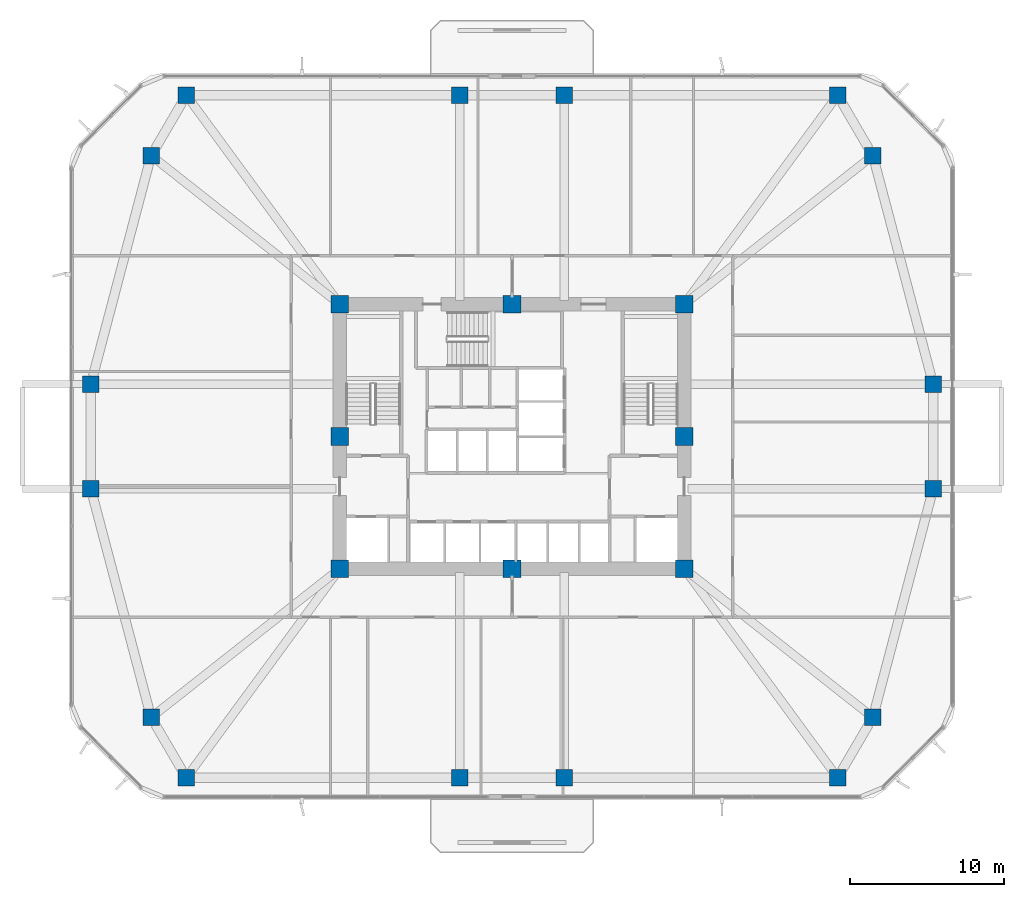
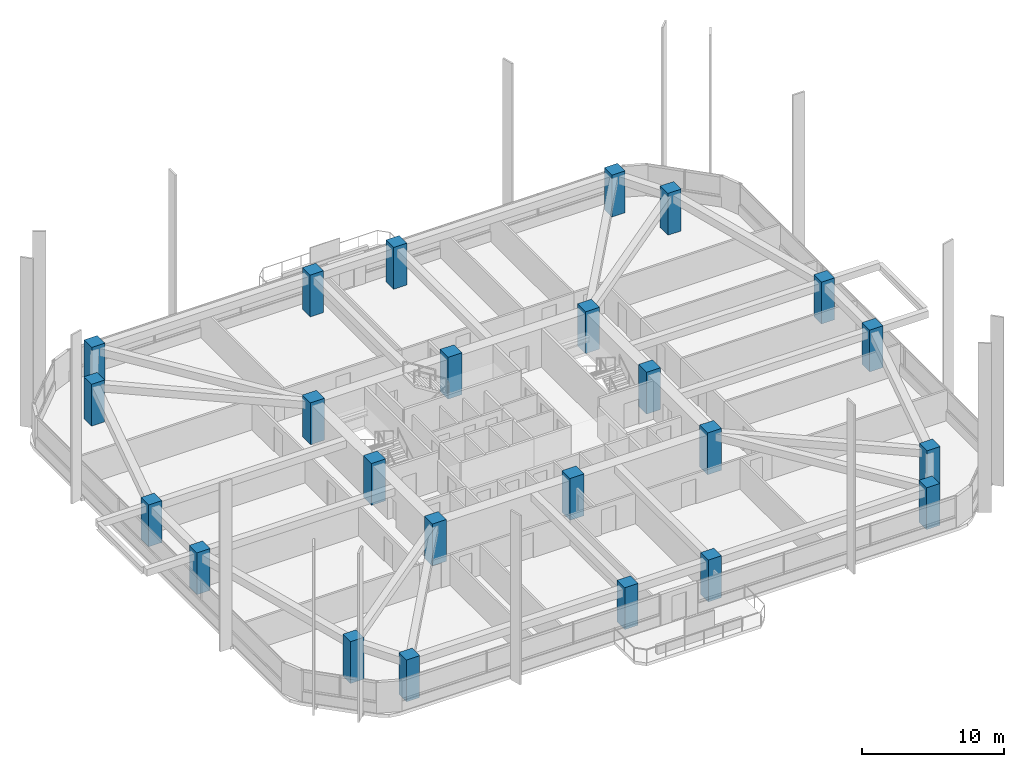
# One storey, part 1 of 17: 24 columns.
"""IFC4 building model written with IfcOpenShell, lengths in metres."""

from ifc_helpers import new_model, si_unit, derived_unit, direction, frame, origin, origin_2d, place, context, subcontext, project, spatial, rectangle, extrude, material, material_profile, profile_set, type_object, element, save


model = new_model("IFC4")

# Units and contexts
model_context = context("Model", 3, precision=1e-05, world=origin(), true_north=direction((0.0, 1.0)))
body_context = subcontext(model_context, "Body", "Model", "MODEL_VIEW")
ifc_project = project(units=[si_unit("LENGTHUNIT", "METRE"), si_unit("AREAUNIT", "SQUARE_METRE"), si_unit("VOLUMEUNIT", "CUBIC_METRE"), si_unit("PLANEANGLEUNIT", "RADIAN"), si_unit("MASSUNIT", "GRAM", prefix="KILO"), derived_unit("THERMALTRANSMITTANCEUNIT", [(si_unit("POWERUNIT", "WATT"), 1), (si_unit("LENGTHUNIT", "METRE"), -2), (si_unit("THERMODYNAMICTEMPERATUREUNIT", "KELVIN"), -1)])], contexts=[model_context])

# Site, building, storey
site_placement = place(None, origin())
site = spatial("IfcSite", under=ifc_project, at=site_placement, CompositionType="ELEMENT")
building_placement = place(site_placement, origin())
building = spatial("IfcBuilding", under=site, at=building_placement, Name="Koralith Skygarden Medical Center", CompositionType="ELEMENT")
storey_placement = place(building_placement, frame((0.0, 0.0, 23.93994140625)))
storey = spatial("IfcBuildingStorey", under=building, at=storey_placement, Name="L05", CompositionType="ELEMENT", Elevation=23.93994140625)

# Columns
ifc_material = material(Name="Concrete C70/85", Category="concrete")
ifc_material_profile_1 = material_profile(ifc_material, rectangle(XDim=1.139892578125, YDim=1.139892578125, at=origin_2d()), Name="RC1140X1140")
ifc_profile_set_1 = profile_set([ifc_material_profile_1], Name="Concrete C70/85")
column_type_1 = type_object("IfcColumnType", Name="Core Mega-Column C70 RC1140", PredefinedType="COLUMN", material=ifc_profile_set_1)
for number, where, z_axis, x_axis, name in (
    (1, (25.800048828125, 17.300048828125, 0.0), (0.0, 0.0, 1.0), (1.0, 0.0, 0.0), "L05 Core Column CC-01"),
    (2, (37.0, 17.300048828125, 0.0), (0.0, 0.0, 1.0), (1.0, 0.0, 0.0), "L05 Core Column CC-02"),
    (3, (48.199951171875, 17.300048828125, 0.0), (0.0, 0.0, 1.0), (1.0, 0.0, 0.0), "L05 Core Column CC-03"),
    (4, (48.199951171875, 25.89990234375, 0.0), (0.0, 0.0, 1.0), (1.0, 0.0, 0.0), "L05 Core Column CC-04"),
    (5, (48.199951171875, 34.5, 0.0), (0.0, 0.0, 1.0), (1.0, 0.0, 0.0), "L05 Core Column CC-05"),
    (6, (37.0, 34.5, 0.0), (0.0, 0.0, 1.0), (1.0, 0.0, 0.0), "L05 Core Column CC-06"),
    (7, (25.800048828125, 34.5, 0.0), (0.0, 0.0, 1.0), (1.0, 0.0, 0.0), "L05 Core Column CC-07"),
    (8, (25.800048828125, 25.89990234375, 0.0), (0.0, 0.0, 1.0), (1.0, 0.0, 0.0), "L05 Core Column CC-08"),
):
    element("IfcColumn", number, at=place(storey_placement, frame(where, z_axis=z_axis, x_axis=x_axis)), inside=storey, type_object=column_type_1, Name=name, PredefinedType="COLUMN", context=body_context, shape_type="SweptSolid", body=[
        extrude(rectangle(XDim=1.139892578125, YDim=1.139892578125, at=origin_2d()), origin(), (0.0, 0.0, 1.0), 3.60009765625),
    ])
ifc_material_profile_2 = material_profile(ifc_material, rectangle(XDim=1.080078125, YDim=1.080078125, at=origin_2d()), Name="RC1080X1080")
ifc_profile_set_2 = profile_set([ifc_material_profile_2], Name="Concrete C70/85")
column_type_2 = type_object("IfcColumnType", Name="Zone 1 Octagonal Mega-Column C70 RC1080", PredefinedType="COLUMN", material=ifc_profile_set_2)
for number, where, z_axis, x_axis, name in (
    (9, (9.6201171875, 22.5, 0.0), (0.0, 0.0, 1.0), (1.0, 0.0, 0.0), "L05 Perimeter Mega-Column MC-01"),
    (10, (13.5400390625, 7.639892578125, 0.0), (0.0, 0.0, 1.0), (1.0, 0.0, 0.0), "L05 Perimeter Mega-Column MC-02"),
    (11, (15.83203125, 3.719970703125, 0.0), (0.0, 0.0, 1.0), (1.0, 0.0, 0.0), "L05 Perimeter Mega-Column MC-03"),
    (12, (33.60009765625, 3.719970703125, 0.0), (0.0, 0.0, 1.0), (1.0, 0.0, 0.0), "L05 Perimeter Mega-Column MC-04"),
    (13, (40.39990234375, 3.719970703125, 0.0), (0.0, 0.0, 1.0), (1.0, 0.0, 0.0), "L05 Perimeter Mega-Column MC-05"),
    (14, (58.16796875, 3.719970703125, 0.0), (0.0, 0.0, 1.0), (1.0, 0.0, 0.0), "L05 Perimeter Mega-Column MC-06"),
    (15, (60.4599609375, 7.639892578125, 0.0), (0.0, 0.0, 1.0), (1.0, 0.0, 0.0), "L05 Perimeter Mega-Column MC-07"),
    (16, (64.3798828125, 22.5, 0.0), (0.0, 0.0, 1.0), (1.0, 0.0, 0.0), "L05 Perimeter Mega-Column MC-08"),
    (17, (64.3798828125, 29.300048828125, 0.0), (0.0, 0.0, 1.0), (1.0, 0.0, 0.0), "L05 Perimeter Mega-Column MC-09"),
    (18, (60.4599609375, 44.159912109375, 0.0), (0.0, 0.0, 1.0), (1.0, 0.0, 0.0), "L05 Perimeter Mega-Column MC-10"),
    (19, (58.16796875, 48.080078125, 0.0), (0.0, 0.0, 1.0), (1.0, 0.0, 0.0), "L05 Perimeter Mega-Column MC-11"),
    (20, (40.39990234375, 48.080078125, 0.0), (0.0, 0.0, 1.0), (1.0, 0.0, 0.0), "L05 Perimeter Mega-Column MC-12"),
    (21, (33.60009765625, 48.080078125, 0.0), (0.0, 0.0, 1.0), (1.0, 0.0, 0.0), "L05 Perimeter Mega-Column MC-13"),
    (22, (15.83203125, 48.080078125, 0.0), (0.0, 0.0, 1.0), (1.0, 0.0, 0.0), "L05 Perimeter Mega-Column MC-14"),
    (23, (13.5400390625, 44.159912109375, 0.0), (0.0, 0.0, 1.0), (1.0, 0.0, 0.0), "L05 Perimeter Mega-Column MC-15"),
    (24, (9.6201171875, 29.300048828125, 0.0), (0.0, 0.0, 1.0), (1.0, 0.0, 0.0), "L05 Perimeter Mega-Column MC-16"),
):
    element("IfcColumn", number, at=place(storey_placement, frame(where, z_axis=z_axis, x_axis=x_axis)), inside=storey, type_object=column_type_2, Name=name, PredefinedType="COLUMN", context=body_context, shape_type="SweptSolid", body=[
        extrude(rectangle(XDim=1.080078125, YDim=1.080078125, at=origin_2d()), origin(), (0.0, 0.0, 1.0), 3.60009765625),
    ])

save(model, "model.ifc")
